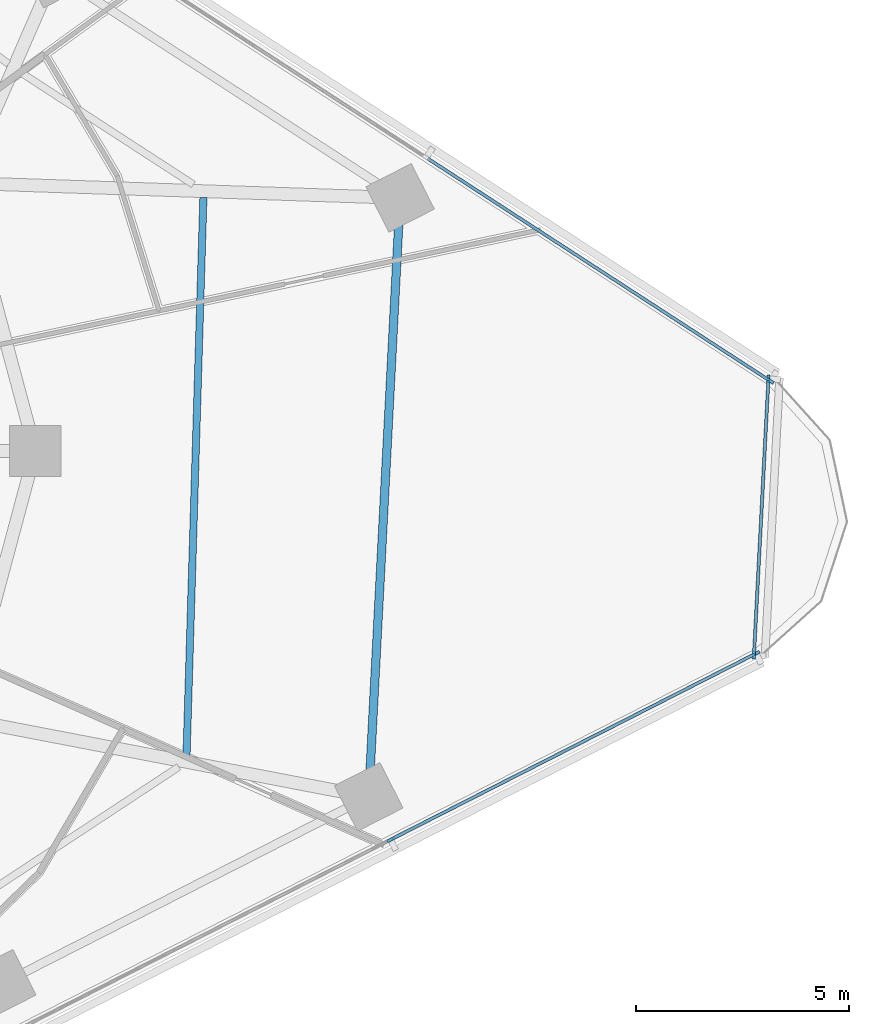
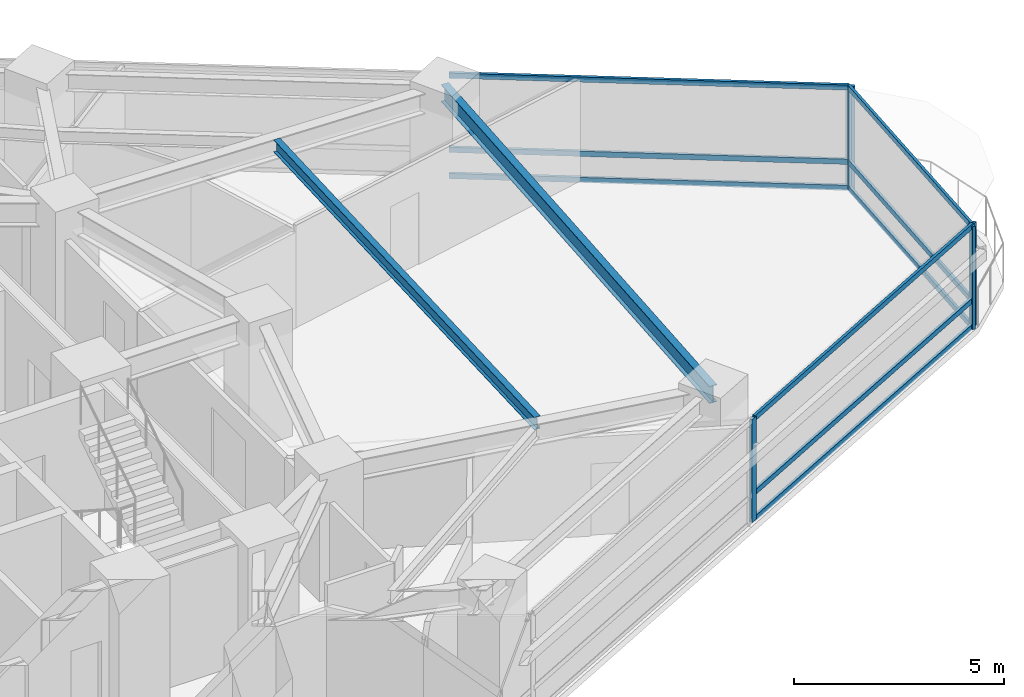
# One storey, part 4 of 14: 14 members, 2 beams, 3 elements without a shape of their own.
"""IFC4 building model written with IfcOpenShell, lengths in metres."""

from ifc_helpers import new_model, si_unit, direction, frame, origin, origin_2d, place, context, subcontext, project, spatial, rectangle, i_section, extrude, material, layer, layer_set, material_profile, profile_set, type_object, element, aggregate, save


model = new_model("IFC4")

# Units and contexts
model_context = context("Model", 3, precision=1e-05, world=origin(), true_north=direction((0.0, 1.0)))
body_context = subcontext(model_context, "Body", "Model", "MODEL_VIEW")
ifc_project = project(units=[si_unit("LENGTHUNIT", "METRE"), si_unit("AREAUNIT", "SQUARE_METRE"), si_unit("VOLUMEUNIT", "CUBIC_METRE"), si_unit("PLANEANGLEUNIT", "RADIAN"), si_unit("MASSUNIT", "GRAM", prefix="KILO")], contexts=[model_context])

# Site, building, storey
site_placement = place(None, origin())
site = spatial("IfcSite", under=ifc_project, at=site_placement, CompositionType="ELEMENT")
building_placement = place(site_placement, origin())
building = spatial("IfcBuilding", under=site, at=building_placement, Name="Terralouvre Media Tower", CompositionType="ELEMENT")
storey_placement = place(building_placement, frame((0.0, 0.0, 142.10009765625)))
storey = spatial("IfcBuildingStorey", under=building, at=storey_placement, Name="L36", CompositionType="ELEMENT", Elevation=142.10009765625)

# Beam
ifc_material_1 = material(Name="Structural steel S355J2", Category="steel")
ifc_material_profile_1 = material_profile(ifc_material_1, i_section(OverallWidth=0.169921875, OverallDepth=0.360107421875, WebThickness=0.008056640625, FlangeThickness=0.0126953125, at=origin_2d()), Name="IPE 360")
ifc_profile_set_1 = profile_set([ifc_material_profile_1], Name="Structural steel S355J2")
beam_type_1 = type_object("IfcBeamType", Name="Composite Floor Joist J-IPE360 (IPE 360)", PredefinedType="JOIST", material=ifc_profile_set_1)
beam_1_placement = place(storey_placement, frame((16.156005859375, -7.156005859375, 3.31982421875), z_axis=(0.030223204966, 0.999543174596, 0.0), x_axis=(-0.999543174596, 0.030223204966, 0.0)))
element("IfcBeam", 1, at=beam_1_placement, inside=storey, type_object=beam_type_1, Name="L36 Framing Beam JT-L36-06", PredefinedType="JOIST", context=body_context, shape_type="SweptSolid", body=[
    extrude(i_section(OverallWidth=0.169921875, OverallDepth=0.360107421875, WebThickness=0.008056640625, FlangeThickness=0.0126953125, at=origin_2d()), origin(), (0.0, 0.0, 1.0), 13.11865234375),
])

# Curtain wall, members
ifc_material_2 = material(Name="Low-iron laminated double glazing with solar-control coating", Category="glass")
ifc_layer_1 = layer(ifc_material_2, 0.1650390625, Name="Production Studio Tower Curtain Wall CW-03")
ifc_layer_set_1 = layer_set([ifc_layer_1], Name="Low-iron laminated double glazing with solar-control coating")
curtain_wall_type_1 = type_object("IfcCurtainWallType", Name="Production Studio Tower Curtain Wall CW-03", PredefinedType="NOTDEFINED", material=ifc_layer_set_1)
curtain_wall_1_placement = place(storey_placement, origin())
curtain_wall_1 = element("IfcCurtainWall", 2, at=curtain_wall_1_placement, inside=storey, type_object=curtain_wall_type_1, Name="L36 Facade Curtain Wall F0", PredefinedType="NOTDEFINED")
ifc_material_3 = material(Name="Anodised extruded aluminium 6063-T6", Category="aluminium")
ifc_material_profile_2 = material_profile(ifc_material_3, rectangle(XDim=0.074951171875, YDim=0.14990234375, at=origin_2d()), Name="ALU 75x150")
ifc_profile_set_2 = profile_set([ifc_material_profile_2], Name="Anodised extruded aluminium 6063-T6")
member_type_1 = type_object("IfcMemberType", Name="Curtain-Wall Horizontal Transom TR-150", PredefinedType="USERDEFINED", material=ifc_profile_set_2)
member_1_placement = place(storey_placement, frame((20.984619140625, -9.118896484375, 0.037353515625), z_axis=(0.891007557644, 0.453988471462, 0.0), x_axis=(-0.453988471462, 0.891007557644, 0.0)))
member_1 = element("IfcMember", 3, at=member_1_placement, type_object=member_type_1, Name="CW-03 transom 5.1", ObjectType="TRANSOM", PredefinedType="USERDEFINED", context=body_context, shape_type="SweptSolid", body=[
    extrude(rectangle(XDim=0.074951171875, YDim=0.14990234375, at=origin_2d()), origin(), (0.0, 0.0, 1.0), 9.5673828125),
])
member_2_placement = place(storey_placement, frame((20.984619140625, -9.118896484375, 0.7998046875), z_axis=(0.891007557644, 0.453988471462, 0.0), x_axis=(-0.453988471462, 0.891007557644, 0.0)))
member_2 = element("IfcMember", 4, at=member_2_placement, type_object=member_type_1, Name="CW-03 transom 5.2", ObjectType="TRANSOM", PredefinedType="USERDEFINED", context=body_context, shape_type="SweptSolid", body=[
    extrude(rectangle(XDim=0.074951171875, YDim=0.14990234375, at=origin_2d()), origin(), (0.0, 0.0, 1.0), 9.5673828125),
])
member_3_placement = place(storey_placement, frame((20.984619140625, -9.118896484375, 2.96240234375), z_axis=(0.891007557644, 0.453988471462, 0.0), x_axis=(-0.453988471462, 0.891007557644, 0.0)))
member_3 = element("IfcMember", 5, at=member_3_placement, type_object=member_type_1, Name="CW-03 transom 5.3", ObjectType="TRANSOM", PredefinedType="USERDEFINED", context=body_context, shape_type="SweptSolid", body=[
    extrude(rectangle(XDim=0.074951171875, YDim=0.14990234375, at=origin_2d()), origin(), (0.0, 0.0, 1.0), 9.5673828125),
])

curtain_wall_2_placement = place(storey_placement, origin())
curtain_wall_2 = element("IfcCurtainWall", 6, at=curtain_wall_2_placement, inside=storey, type_object=curtain_wall_type_1, Name="L36 Facade Curtain Wall F1", PredefinedType="NOTDEFINED")
member_4_placement = place(storey_placement, frame((29.846923828125, 1.664794921875, 0.037353515625), z_axis=(-0.838683148474, 0.544619662211, 0.0), x_axis=(-0.544619662211, -0.838683148474, 0.0)))
member_4 = element("IfcMember", 7, at=member_4_placement, type_object=member_type_1, Name="CW-03 transom 1.1", ObjectType="TRANSOM", PredefinedType="USERDEFINED", context=body_context, shape_type="SweptSolid", body=[
    extrude(rectangle(XDim=0.074951171875, YDim=0.14990234375, at=origin_2d()), origin(), (0.0, 0.0, 1.0), 9.567626953125),
])
member_5_placement = place(storey_placement, frame((29.846923828125, 1.664794921875, 0.7998046875), z_axis=(-0.838683148474, 0.544619662211, 0.0), x_axis=(-0.544619662211, -0.838683148474, 0.0)))
member_5 = element("IfcMember", 8, at=member_5_placement, type_object=member_type_1, Name="CW-03 transom 1.2", ObjectType="TRANSOM", PredefinedType="USERDEFINED", context=body_context, shape_type="SweptSolid", body=[
    extrude(rectangle(XDim=0.074951171875, YDim=0.14990234375, at=origin_2d()), origin(), (0.0, 0.0, 1.0), 9.567626953125),
])
member_6_placement = place(storey_placement, frame((29.846923828125, 1.664794921875, 2.96240234375), z_axis=(-0.838683148474, 0.544619662211, 0.0), x_axis=(-0.544619662211, -0.838683148474, 0.0)))
member_6 = element("IfcMember", 9, at=member_6_placement, type_object=member_type_1, Name="CW-03 transom 1.3", ObjectType="TRANSOM", PredefinedType="USERDEFINED", context=body_context, shape_type="SweptSolid", body=[
    extrude(rectangle(XDim=0.074951171875, YDim=0.14990234375, at=origin_2d()), origin(), (0.0, 0.0, 1.0), 9.567626953125),
])

ifc_material_4 = material(Name="Low-iron laminated double glazing with solar-control coating", Category="glass")
ifc_layer_2 = layer(ifc_material_4, 0.1650390625, Name="Rounded Wind-Corner Curved Glazing CW-04")
ifc_layer_set_2 = layer_set([ifc_layer_2], Name="Low-iron laminated double glazing with solar-control coating")
curtain_wall_type_2 = type_object("IfcCurtainWallType", Name="Rounded Wind-Corner Curved Glazing CW-04", PredefinedType="NOTDEFINED", material=ifc_layer_set_2)
curtain_wall_3_placement = place(storey_placement, origin())
curtain_wall_3 = element("IfcCurtainWall", 10, at=curtain_wall_3_placement, inside=storey, type_object=curtain_wall_type_2, Name="L36 Rounded Wind-Corner Curtain Wall C1", PredefinedType="NOTDEFINED")
member_7_placement = place(storey_placement, frame((29.49462890625, -4.76611328125, 0.037353515625), z_axis=(0.052343668365, 0.998629130549, 0.0), x_axis=(-0.998629130549, 0.052343668365, 0.0)))
member_7 = element("IfcMember", 11, at=member_7_placement, type_object=member_type_1, Name="CW-04 transom 1.1", ObjectType="TRANSOM", PredefinedType="USERDEFINED", context=body_context, shape_type="SweptSolid", body=[
    extrude(rectangle(XDim=0.074951171875, YDim=0.14990234375, at=origin_2d()), origin(), (0.0, 0.0, 1.0), 6.431884765625),
])
member_8_placement = place(storey_placement, frame((29.49462890625, -4.76611328125, 0.7998046875), z_axis=(0.052343668365, 0.998629130549, 0.0), x_axis=(-0.998629130549, 0.052343668365, 0.0)))
member_8 = element("IfcMember", 12, at=member_8_placement, type_object=member_type_1, Name="CW-04 transom 1.2", ObjectType="TRANSOM", PredefinedType="USERDEFINED", context=body_context, shape_type="SweptSolid", body=[
    extrude(rectangle(XDim=0.074951171875, YDim=0.14990234375, at=origin_2d()), origin(), (0.0, 0.0, 1.0), 6.431884765625),
])
member_9_placement = place(storey_placement, frame((29.49462890625, -4.76611328125, 2.96240234375), z_axis=(0.052343668365, 0.998629130549, 0.0), x_axis=(-0.998629130549, 0.052343668365, 0.0)))
member_9 = element("IfcMember", 13, at=member_9_placement, type_object=member_type_1, Name="CW-04 transom 1.3", ObjectType="TRANSOM", PredefinedType="USERDEFINED", context=body_context, shape_type="SweptSolid", body=[
    extrude(rectangle(XDim=0.074951171875, YDim=0.14990234375, at=origin_2d()), origin(), (0.0, 0.0, 1.0), 6.431884765625),
])

# Member
ifc_material_5 = material(Name="Anodised extruded aluminium 6063-T6", Category="aluminium")
ifc_material_profile_3 = material_profile(ifc_material_5, rectangle(XDim=0.074951171875, YDim=0.179931640625, at=origin_2d()), Name="ALU 75x180")
ifc_profile_set_3 = profile_set([ifc_material_profile_3], Name="Anodised extruded aluminium 6063-T6")
member_type_2 = type_object("IfcMemberType", Name="Curtain-Wall Vertical Mullion ML-180", PredefinedType="MULLION", material=ifc_profile_set_3)
member_10_placement = place(storey_placement, frame((20.951171875, -9.135986328125, 0.0), z_axis=(0.0, 0.0, 1.0), x_axis=(-0.4539905449, 0.891006501178, 0.0)))
member_10 = element("IfcMember", 14, at=member_10_placement, type_object=member_type_2, Name="CW-03 mullion 5", PredefinedType="MULLION", context=body_context, shape_type="SweptSolid", body=[
    extrude(rectangle(XDim=0.074951171875, YDim=0.179931640625, at=origin_2d()), origin(), (0.0, 0.0, 1.0), 3.0),
])

member_11_placement = place(storey_placement, frame((29.542724609375, -4.75830078125, 0.0), z_axis=(0.0, 0.0, 1.0), x_axis=(-0.4539905449, 0.891006501178, 0.0)))
member_11 = element("IfcMember", 15, at=member_11_placement, type_object=member_type_2, Name="CW-03 mullion 6", PredefinedType="MULLION", context=body_context, shape_type="SweptSolid", body=[
    extrude(rectangle(XDim=0.074951171875, YDim=0.179931640625, at=origin_2d()), origin(), (0.0, 0.0, 1.0), 3.0),
])

aggregate(curtain_wall_1, [member_10, member_11, member_1, member_2, member_3])

member_12_placement = place(storey_placement, frame((29.878173828125, 1.644287109375, 0.0), z_axis=(0.0, 0.0, 1.0), x_axis=(-0.544639002681, -0.838670588944, 0.0)))
member_12 = element("IfcMember", 16, at=member_12_placement, type_object=member_type_2, Name="CW-03 mullion 1", PredefinedType="MULLION", context=body_context, shape_type="SweptSolid", body=[
    extrude(rectangle(XDim=0.074951171875, YDim=0.179931640625, at=origin_2d()), origin(), (0.0, 0.0, 1.0), 3.0),
])

aggregate(curtain_wall_2, [member_12, member_4, member_5, member_6])

member_13_placement = place(storey_placement, frame((29.49267578125, -4.803466796875, 0.0), z_axis=(0.0, 0.0, 1.0), x_axis=(-0.998629489329, 0.052336823006, 0.0)))
member_13 = element("IfcMember", 17, at=member_13_placement, type_object=member_type_2, Name="CW-04 mullion 1", PredefinedType="MULLION", context=body_context, shape_type="SweptSolid", body=[
    extrude(rectangle(XDim=0.074951171875, YDim=0.179931640625, at=origin_2d()), origin(), (0.0, 0.0, 1.0), 3.0),
])

member_14_placement = place(storey_placement, frame((29.833251953125, 1.6943359375, 0.0), z_axis=(0.0, 0.0, 1.0), x_axis=(-0.998629489329, 0.052336823006, 0.0)))
member_14 = element("IfcMember", 18, at=member_14_placement, type_object=member_type_2, Name="CW-04 mullion 2", PredefinedType="MULLION", context=body_context, shape_type="SweptSolid", body=[
    extrude(rectangle(XDim=0.074951171875, YDim=0.179931640625, at=origin_2d()), origin(), (0.0, 0.0, 1.0), 3.0),
])

aggregate(curtain_wall_3, [member_13, member_14, member_7, member_8, member_9])

# Beam
ifc_material_6 = material(Name="Structural steel S355J2", Category="steel")
ifc_material_profile_4 = material_profile(ifc_material_6, i_section(OverallWidth=0.199951171875, OverallDepth=0.5, WebThickness=0.01025390625, FlangeThickness=0.01611328125, at=origin_2d()), Name="IPE 500")
ifc_profile_set_4 = profile_set([ifc_material_profile_4], Name="Structural steel S355J2")
beam_type_2 = type_object("IfcBeamType", Name="Perimeter Spandrel Beam SPB-500 (IPE 500)", PredefinedType="SPANDREL", material=ifc_profile_set_4)
beam_2_placement = place(storey_placement, frame((20.438232421875, -8.129150390625, 3.25), z_axis=(0.052337943139, 0.998629430624, 0.0), x_axis=(-0.998629430624, 0.052337943139, 0.0)))
element("IfcBeam", 19, at=beam_2_placement, inside=storey, type_object=beam_type_2, Name="L36 Framing Beam BM-L36-PR06", PredefinedType="SPANDREL", context=body_context, shape_type="SweptSolid", body=[
    extrude(i_section(OverallWidth=0.199951171875, OverallDepth=0.5, WebThickness=0.01025390625, FlangeThickness=0.01611328125, at=origin_2d()), origin(), (0.0, 0.0, 1.0), 14.0966796875),
])

save(model, "model.ifc")
